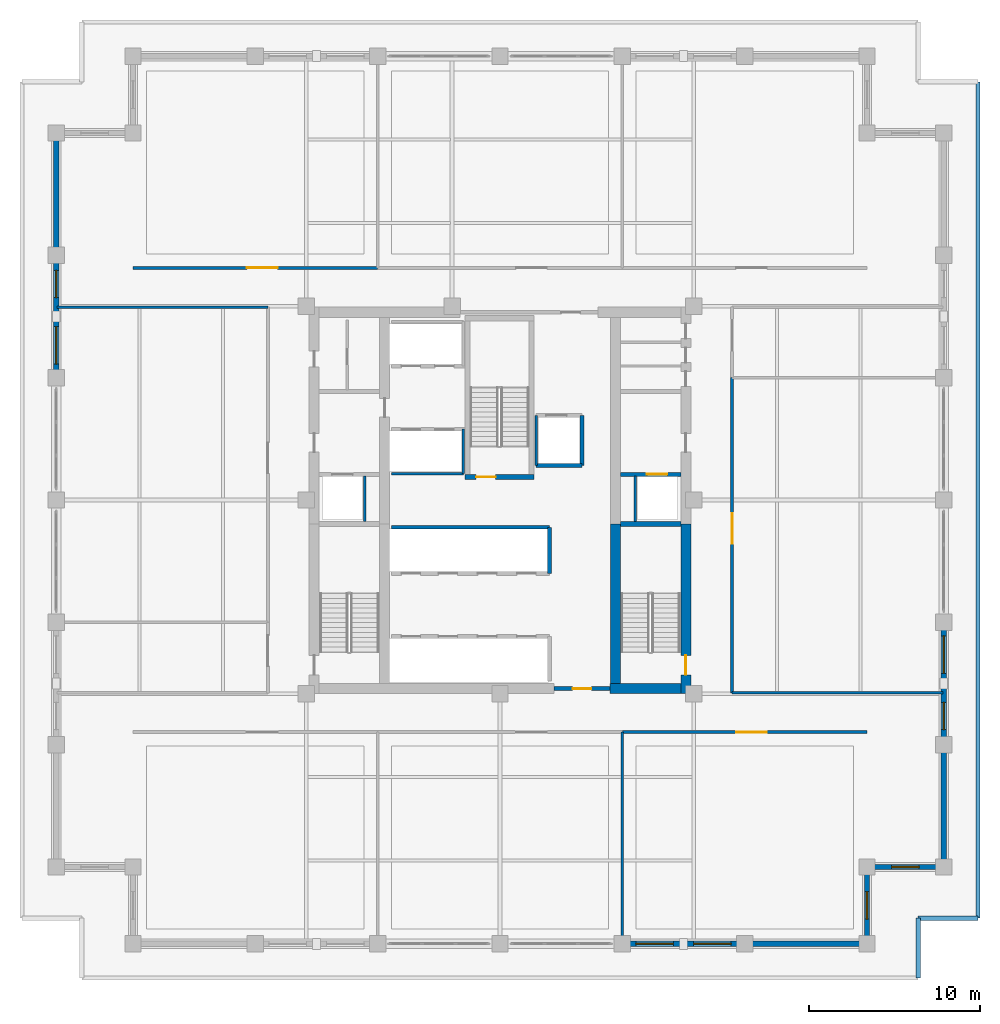
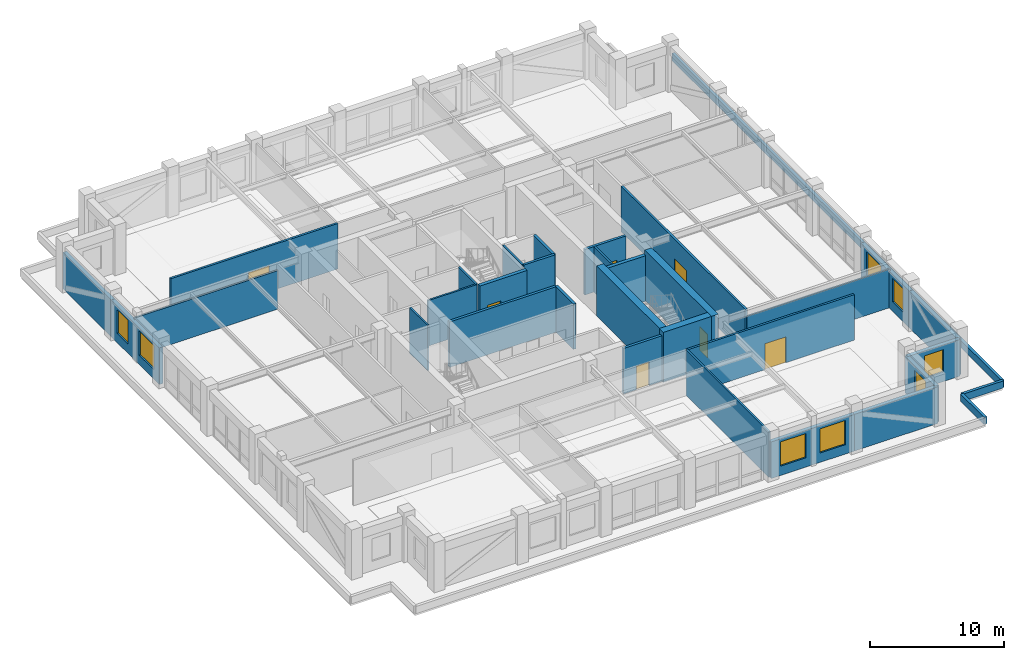
# One storey, part 9 of 16: 33 walls, 8 windows, 7 doors, 15 openings.
"""IFC4 building model written with IfcOpenShell, lengths in metres."""

from ifc_helpers import new_model, si_unit, direction, frame, frame_2d, origin, place, context, subcontext, project, spatial, rectangle, extrude, material, layer, layer_set, type_object, element, fill, save


model = new_model("IFC4")

# Units and contexts
model_context = context("Model", 3, precision=1e-05, world=origin(), true_north=direction((0.0, 1.0)))
body_context = subcontext(model_context, "Body", "Model", "MODEL_VIEW")
ifc_project = project(units=[si_unit("LENGTHUNIT", "METRE"), si_unit("AREAUNIT", "SQUARE_METRE"), si_unit("VOLUMEUNIT", "CUBIC_METRE"), si_unit("PLANEANGLEUNIT", "RADIAN"), si_unit("MASSUNIT", "GRAM", prefix="KILO")], contexts=[model_context])

# Site, building, storey
site_placement = place(None, origin())
site = spatial("IfcSite", under=ifc_project, at=site_placement, CompositionType="ELEMENT")
building_placement = place(site_placement, origin())
building = spatial("IfcBuilding", under=site, at=building_placement, Name="Nhamokura Convention Tower", CompositionType="ELEMENT")
storey_placement = place(building_placement, frame((0.0, 0.0, 106.050048828125)))
storey = spatial("IfcBuildingStorey", under=building, at=storey_placement, Name="L25", CompositionType="ELEMENT", Elevation=106.050048828125)

# Wall, openings, windows
ifc_material_1 = material(Name="Bronze-pigmented precast concrete C45/55", Category="concrete")
ifc_layer_1 = layer(ifc_material_1, 0.320068359375)
ifc_layer_set_1 = layer_set([ifc_layer_1], Name="BronzePrecastSpandrel_320")
wall_type_1 = type_object("IfcWallType", Name="BronzePrecastSpandrel_320", PredefinedType="USERDEFINED", material=ifc_layer_set_1)
wall_1_placement = place(storey_placement, frame((46.333251953125, 6.0, 0.0), z_axis=(0.0, 0.0, 1.0), x_axis=(-1.0, 0.0, 0.0)))
wall_1 = element("IfcWall", 1, at=wall_1_placement, inside=storey, type_object=wall_type_1, Name="L25 Masonry-Frame Wall SOUTH 4", ObjectType="SPANDREL_WALL", PredefinedType="USERDEFINED", context=body_context, shape_type="SweptSolid", body=[
    extrude(rectangle(XDim=7.16650390625, YDim=0.320068359375, at=frame_2d((3.583251953125, 0.0))), origin(), (0.0, 0.0, 1.0), 3.329833984375),
])
opening_1_placement = place(wall_1_placement, frame((0.791748046875, 0.0, 0.85009765625)))
opening_1 = element("IfcOpeningElement", 2, at=opening_1_placement, cuts=wall_1, Name="Opening W-06", PredefinedType="OPENING", context=body_context, shape_type="SweptSolid", body=[
    extrude(rectangle(XDim=2.199951171875, YDim=2.199951171875, at=frame_2d((1.10009765625, 1.10009765625))), frame((0.0, 0.169921875, 0.0), z_axis=(0.0, -1.0, 0.0), x_axis=(1.0, 0.0, 0.0)), (0.0, 0.0, 1.0), 0.340087890625),
])
opening_2_placement = place(wall_1_placement, frame((4.175048828125, 0.0, 0.85009765625)))
opening_2 = element("IfcOpeningElement", 3, at=opening_2_placement, cuts=wall_1, Name="Opening W-06", PredefinedType="OPENING", context=body_context, shape_type="SweptSolid", body=[
    extrude(rectangle(XDim=2.199951171875, YDim=2.199951171875, at=frame_2d((1.10009765625, 1.10009765625))), frame((0.0, 0.169921875, 0.0), z_axis=(0.0, -1.0, 0.0), x_axis=(1.0, 0.0, 0.0)), (0.0, 0.0, 1.0), 0.340087890625),
])
ifc_material_2 = material(Name="Solar-control bronze low-E double glass", Category="glass")
window_type_1 = type_object("IfcWindowType", Name="OfficeModuleWindow_Z2_2200", PartitioningType="SINGLE_PANEL", PredefinedType="WINDOW", material=ifc_material_2)
window_1_placement = place(opening_1_placement, origin())
window_1 = element("IfcWindow", 4, at=window_1_placement, inside=storey, type_object=window_type_1, Name="L25 Facade Window SOUTH 4-1", OverallHeight=2.199951171875, OverallWidth=2.199951171875, PartitioningType="SINGLE_PANEL", PredefinedType="WINDOW", context=body_context, shape_type="SweptSolid", body=[
    extrude(rectangle(XDim=2.199951171875, YDim=2.199951171875, at=frame_2d((1.10009765625, 1.10009765625))), frame((0.0, 0.030029296875, 0.0), z_axis=(0.0, -1.0, 0.0), x_axis=(1.0, 0.0, 0.0)), (0.0, 0.0, 1.0), 0.06005859375),
])
fill(opening_1, window_1)
window_2_placement = place(opening_2_placement, origin())
window_2 = element("IfcWindow", 5, at=window_2_placement, inside=storey, type_object=window_type_1, Name="L25 Facade Window SOUTH 4-2", OverallHeight=2.199951171875, OverallWidth=2.199951171875, PartitioningType="SINGLE_PANEL", PredefinedType="WINDOW", context=body_context, shape_type="SweptSolid", body=[
    extrude(rectangle(XDim=2.199951171875, YDim=2.199951171875, at=frame_2d((1.10009765625, 1.10009765625))), frame((0.0, 0.030029296875, 0.0), z_axis=(0.0, -1.0, 0.0), x_axis=(1.0, 0.0, 0.0)), (0.0, 0.0, 1.0), 0.06005859375),
])
fill(opening_2, window_2)

# Wall
wall_2_placement = place(storey_placement, frame((53.5, 6.0, 0.0), z_axis=(0.0, 0.0, 1.0), x_axis=(-1.0, 0.0, 0.0)))
element("IfcWall", 6, at=wall_2_placement, inside=storey, type_object=wall_type_1, Name="L25 Braced-Bay Precast Wall SOUTH 5", ObjectType="SPANDREL_WALL", PredefinedType="USERDEFINED", context=body_context, shape_type="SweptSolid", body=[
    extrude(rectangle(XDim=7.166748046875, YDim=0.320068359375, at=frame_2d((3.58349609375, 0.0))), origin(), (0.0, 0.0, 1.0), 3.329833984375),
])

# Wall, openings, windows
wall_3_placement = place(storey_placement, frame((6.0, 39.166748046875, 0.0), z_axis=(0.0, 0.0, 1.0), x_axis=(0.0, 1.0, 0.0)))
wall_3 = element("IfcWall", 7, at=wall_3_placement, inside=storey, type_object=wall_type_1, Name="L25 Masonry-Frame Wall WEST 4", ObjectType="SPANDREL_WALL", PredefinedType="USERDEFINED", context=body_context, shape_type="SweptSolid", body=[
    extrude(rectangle(XDim=7.16650390625, YDim=0.320068359375, at=frame_2d((3.583251953125, 0.0))), origin(), (0.0, 0.0, 1.0), 3.329833984375),
])
opening_3_placement = place(wall_3_placement, frame((0.791748046875, 0.0, 0.85009765625)))
opening_3 = element("IfcOpeningElement", 8, at=opening_3_placement, cuts=wall_3, Name="Opening W-06", PredefinedType="OPENING", context=body_context, shape_type="SweptSolid", body=[
    extrude(rectangle(XDim=2.199951171875, YDim=2.199951171875, at=frame_2d((1.10009765625, 1.10009765625))), frame((0.0, 0.169921875, 0.0), z_axis=(0.0, -1.0, 0.0), x_axis=(1.0, 0.0, 0.0)), (0.0, 0.0, 1.0), 0.340087890625),
])
opening_4_placement = place(wall_3_placement, frame((4.6875, 0.0, 0.85009765625)))
opening_4 = element("IfcOpeningElement", 9, at=opening_4_placement, cuts=wall_3, Name="Opening W-11", PredefinedType="OPENING", context=body_context, shape_type="SweptSolid", body=[
    extrude(rectangle(XDim=1.60009765625, YDim=2.14990234375, at=frame_2d((0.800048828125, 1.074951171875))), frame((0.0, 0.169921875, 0.0), z_axis=(0.0, -1.0, 0.0), x_axis=(1.0, 0.0, 0.0)), (0.0, 0.0, 1.0), 0.340087890625),
])
ifc_material_3 = material(Name="Solar-control bronze low-E double glass", Category="glass")
window_type_2 = type_object("IfcWindowType", Name="NotchCornerWindow_1600", PartitioningType="SINGLE_PANEL", PredefinedType="WINDOW", material=ifc_material_3)
window_3_placement = place(opening_4_placement, origin())
window_3 = element("IfcWindow", 10, at=window_3_placement, inside=storey, type_object=window_type_2, Name="L25 Facade Window WEST 4-2", OverallHeight=2.14990234375, OverallWidth=1.60009765625, PartitioningType="SINGLE_PANEL", PredefinedType="WINDOW", context=body_context, shape_type="SweptSolid", body=[
    extrude(rectangle(XDim=1.60009765625, YDim=2.14990234375, at=frame_2d((0.800048828125, 1.074951171875))), frame((0.0, 0.030029296875, 0.0), z_axis=(0.0, -1.0, 0.0), x_axis=(1.0, 0.0, 0.0)), (0.0, 0.0, 1.0), 0.06005859375),
])
fill(opening_4, window_3)
window_4_placement = place(opening_3_placement, origin())
window_4 = element("IfcWindow", 11, at=window_4_placement, inside=storey, type_object=window_type_1, Name="L25 Facade Window WEST 4-1", OverallHeight=2.199951171875, OverallWidth=2.199951171875, PartitioningType="SINGLE_PANEL", PredefinedType="WINDOW", context=body_context, shape_type="SweptSolid", body=[
    extrude(rectangle(XDim=2.199951171875, YDim=2.199951171875, at=frame_2d((1.10009765625, 1.10009765625))), frame((0.0, 0.030029296875, 0.0), z_axis=(0.0, -1.0, 0.0), x_axis=(1.0, 0.0, 0.0)), (0.0, 0.0, 1.0), 0.06005859375),
])
fill(opening_3, window_4)

# Walls
for number, where, z_axis, x_axis, name in (
    (12, (6.0, 46.333251953125, 0.0), (0.0, 0.0, 1.0), (0.0, 1.0, 0.0), "L25 Braced-Bay Precast Wall WEST 5"),
    (13, (58.0, 17.666748046875, 0.0), (0.0, 0.0, 1.0), (0.0, -1.0, 0.0), "L25 Braced-Bay Precast Wall EAST 0"),
):
    element("IfcWall", number, at=place(storey_placement, frame(where, z_axis=z_axis, x_axis=x_axis)), inside=storey, type_object=wall_type_1, Name=name, ObjectType="SPANDREL_WALL", PredefinedType="USERDEFINED", context=body_context, shape_type="SweptSolid", body=[
        extrude(rectangle(XDim=7.166748046875, YDim=0.320068359375, at=frame_2d((3.58349609375, 0.0))), origin(), (0.0, 0.0, 1.0), 3.329833984375),
    ])

# Wall, openings, windows
wall_4_placement = place(storey_placement, frame((58.0, 24.833251953125, 0.0), z_axis=(0.0, 0.0, 1.0), x_axis=(0.0, -1.0, 0.0)))
wall_4 = element("IfcWall", 14, at=wall_4_placement, inside=storey, type_object=wall_type_1, Name="L25 Masonry-Frame Wall EAST 1", ObjectType="SPANDREL_WALL", PredefinedType="USERDEFINED", context=body_context, shape_type="SweptSolid", body=[
    extrude(rectangle(XDim=7.16650390625, YDim=0.320068359375, at=frame_2d((3.583251953125, 0.0))), origin(), (0.0, 0.0, 1.0), 3.329833984375),
])
opening_5_placement = place(wall_4_placement, frame((0.791748046875, 0.0, 0.85009765625)))
opening_5 = element("IfcOpeningElement", 15, at=opening_5_placement, cuts=wall_4, Name="Opening W-06", PredefinedType="OPENING", context=body_context, shape_type="SweptSolid", body=[
    extrude(rectangle(XDim=2.199951171875, YDim=2.199951171875, at=frame_2d((1.10009765625, 1.10009765625))), frame((0.0, 0.169921875, 0.0), z_axis=(0.0, -1.0, 0.0), x_axis=(1.0, 0.0, 0.0)), (0.0, 0.0, 1.0), 0.340087890625),
])
opening_6_placement = place(wall_4_placement, frame((4.6875, 0.0, 0.85009765625)))
opening_6 = element("IfcOpeningElement", 16, at=opening_6_placement, cuts=wall_4, Name="Opening W-11", PredefinedType="OPENING", context=body_context, shape_type="SweptSolid", body=[
    extrude(rectangle(XDim=1.60009765625, YDim=2.14990234375, at=frame_2d((0.800048828125, 1.074951171875))), frame((0.0, 0.169921875, 0.0), z_axis=(0.0, -1.0, 0.0), x_axis=(1.0, 0.0, 0.0)), (0.0, 0.0, 1.0), 0.340087890625),
])
window_5_placement = place(opening_6_placement, origin())
window_5 = element("IfcWindow", 17, at=window_5_placement, inside=storey, type_object=window_type_2, Name="L25 Facade Window EAST 1-2", OverallHeight=2.14990234375, OverallWidth=1.60009765625, PartitioningType="SINGLE_PANEL", PredefinedType="WINDOW", context=body_context, shape_type="SweptSolid", body=[
    extrude(rectangle(XDim=1.60009765625, YDim=2.14990234375, at=frame_2d((0.800048828125, 1.074951171875))), frame((0.0, 0.030029296875, 0.0), z_axis=(0.0, -1.0, 0.0), x_axis=(1.0, 0.0, 0.0)), (0.0, 0.0, 1.0), 0.06005859375),
])
fill(opening_6, window_5)
window_6_placement = place(opening_5_placement, origin())
window_6 = element("IfcWindow", 18, at=window_6_placement, inside=storey, type_object=window_type_1, Name="L25 Facade Window EAST 1-1", OverallHeight=2.199951171875, OverallWidth=2.199951171875, PartitioningType="SINGLE_PANEL", PredefinedType="WINDOW", context=body_context, shape_type="SweptSolid", body=[
    extrude(rectangle(XDim=2.199951171875, YDim=2.199951171875, at=frame_2d((1.10009765625, 1.10009765625))), frame((0.0, 0.030029296875, 0.0), z_axis=(0.0, -1.0, 0.0), x_axis=(1.0, 0.0, 0.0)), (0.0, 0.0, 1.0), 0.06005859375),
])
fill(opening_5, window_6)

# Wall, opening, window
wall_5_placement = place(storey_placement, frame((53.5, 10.5, 0.0), z_axis=(0.0, 0.0, 1.0), x_axis=(0.0, -1.0, 0.0)))
wall_5 = element("IfcWall", 19, at=wall_5_placement, inside=storey, type_object=wall_type_1, Name="L25 Notched Corner Wall SE1", ObjectType="SPANDREL_WALL", PredefinedType="USERDEFINED", context=body_context, shape_type="SweptSolid", body=[
    extrude(rectangle(XDim=4.5, YDim=0.320068359375, at=frame_2d((2.25, 0.0))), origin(), (0.0, 0.0, 1.0), 3.329833984375),
])
opening_7_placement = place(wall_5_placement, frame((1.449951171875, 0.0, 0.85009765625)))
opening_7 = element("IfcOpeningElement", 20, at=opening_7_placement, cuts=wall_5, Name="Opening W-11", PredefinedType="OPENING", context=body_context, shape_type="SweptSolid", body=[
    extrude(rectangle(XDim=1.60009765625, YDim=2.050048828125, at=frame_2d((0.800048828125, 1.02490234375))), frame((0.0, 0.169921875, 0.0), z_axis=(0.0, -1.0, 0.0), x_axis=(1.0, 0.0, 0.0)), (0.0, 0.0, 1.0), 0.340087890625),
])
window_7_placement = place(opening_7_placement, origin())
window_7 = element("IfcWindow", 21, at=window_7_placement, inside=storey, type_object=window_type_2, Name="L25 Notched Corner Window SE1", OverallHeight=2.050048828125, OverallWidth=1.60009765625, PartitioningType="SINGLE_PANEL", PredefinedType="WINDOW", context=body_context, shape_type="SweptSolid", body=[
    extrude(rectangle(XDim=1.60009765625, YDim=2.050048828125, at=frame_2d((0.800048828125, 1.02490234375))), frame((0.0, 0.030029296875, 0.0), z_axis=(0.0, -1.0, 0.0), x_axis=(1.0, 0.0, 0.0)), (0.0, 0.0, 1.0), 0.06005859375),
])
fill(opening_7, window_7)

wall_6_placement = place(storey_placement, frame((58.0, 10.5, 0.0), z_axis=(0.0, 0.0, 1.0), x_axis=(-1.0, 0.0, 0.0)))
wall_6 = element("IfcWall", 22, at=wall_6_placement, inside=storey, type_object=wall_type_1, Name="L25 Notched Corner Wall SE2", ObjectType="SPANDREL_WALL", PredefinedType="USERDEFINED", context=body_context, shape_type="SweptSolid", body=[
    extrude(rectangle(XDim=4.5, YDim=0.320068359375, at=frame_2d((2.25, 0.0))), origin(), (0.0, 0.0, 1.0), 3.329833984375),
])
opening_8_placement = place(wall_6_placement, frame((1.449951171875, 0.0, 0.85009765625)))
opening_8 = element("IfcOpeningElement", 23, at=opening_8_placement, cuts=wall_6, Name="Opening W-11", PredefinedType="OPENING", context=body_context, shape_type="SweptSolid", body=[
    extrude(rectangle(XDim=1.60009765625, YDim=2.050048828125, at=frame_2d((0.800048828125, 1.02490234375))), frame((0.0, 0.169921875, 0.0), z_axis=(0.0, -1.0, 0.0), x_axis=(1.0, 0.0, 0.0)), (0.0, 0.0, 1.0), 0.340087890625),
])
window_8_placement = place(opening_8_placement, origin())
window_8 = element("IfcWindow", 24, at=window_8_placement, inside=storey, type_object=window_type_2, Name="L25 Notched Corner Window SE2", OverallHeight=2.050048828125, OverallWidth=1.60009765625, PartitioningType="SINGLE_PANEL", PredefinedType="WINDOW", context=body_context, shape_type="SweptSolid", body=[
    extrude(rectangle(XDim=1.60009765625, YDim=2.050048828125, at=frame_2d((0.800048828125, 1.02490234375))), frame((0.0, 0.030029296875, 0.0), z_axis=(0.0, -1.0, 0.0), x_axis=(1.0, 0.0, 0.0)), (0.0, 0.0, 1.0), 0.06005859375),
])
fill(opening_8, window_8)

# Wall, opening, door
ifc_material_4 = material(Name="Concrete C60/75", Category="concrete")
ifc_layer_2 = layer(ifc_material_4, 0.60009765625)
ifc_layer_set_2 = layer_set([ifc_layer_2], Name="CoreShearWall_600")
wall_type_2 = type_object("IfcWallType", Name="CoreShearWall_600", PredefinedType="SHEAR", material=ifc_layer_set_2)
wall_7_placement = place(storey_placement, frame((42.889892578125, 20.64990234375, 0.0), z_axis=(0.0, 0.0, 1.0), x_axis=(0.0, 1.0, 0.0)))
wall_7 = element("IfcWall", 25, at=wall_7_placement, inside=storey, type_object=wall_type_2, Name="L25 Core Shear Wall CW-ES", PredefinedType="SHEAR", context=body_context, shape_type="SweptSolid", body=[
    extrude(rectangle(XDim=9.9501953125, YDim=0.60009765625, at=frame_2d((4.97509765625, 0.0))), origin(), (0.0, 0.0, 1.0), 4.550048828125),
])
opening_9_placement = place(wall_7_placement, frame((1.10009765625, 0.0, 0.0)))
opening_9 = element("IfcOpeningElement", 26, at=opening_9_placement, cuts=wall_7, Name="Opening D-04", PredefinedType="OPENING", context=body_context, shape_type="SweptSolid", body=[
    extrude(rectangle(XDim=1.14990234375, YDim=2.14990234375, at=frame_2d((0.574951171875, 1.074951171875))), frame((0.0, 0.31005859375, 0.0), z_axis=(0.0, -1.0, 0.0), x_axis=(1.0, 0.0, 0.0)), (0.0, 0.0, 1.0), 0.6201171875),
])
ifc_material_5 = material(Name="Fire-rated steel door", Category="steel")
door_type_1 = type_object("IfcDoorType", Name="StairSmokeDoor_1150", OperationType="NOTDEFINED", PredefinedType="DOOR", material=ifc_material_5)
door_1_placement = place(opening_9_placement, origin())
door_1 = element("IfcDoor", 27, at=door_1_placement, inside=storey, type_object=door_type_1, Name="L25 Core Door INT-L25-D-ST02", OperationType="SINGLE_SWING_RIGHT", OverallHeight=2.14990234375, OverallWidth=1.14990234375, PredefinedType="DOOR", context=body_context, shape_type="SweptSolid", body=[
    extrude(rectangle(XDim=1.14990234375, YDim=2.14990234375, at=frame_2d((0.574951171875, 1.074951171875))), frame((0.0, 0.02490234375, 0.0), z_axis=(0.0, -1.0, 0.0), x_axis=(1.0, 0.0, 0.0)), (0.0, 0.0, 1.0), 0.050048828125),
])
fill(opening_9, door_1)

# Walls
wall_8_placement = place(storey_placement, frame((38.449951171875, 20.949951171875, 0.0), z_axis=(0.0, 0.0, 1.0), x_axis=(1.0, 0.0, 0.0)))
element("IfcWall", 28, at=wall_8_placement, inside=storey, type_object=wall_type_2, Name="L25 Core Shear Wall CW-S2", PredefinedType="SHEAR", context=body_context, shape_type="SweptSolid", body=[
    extrude(rectangle(XDim=4.14013671875, YDim=0.60009765625, at=frame_2d((2.070068359375, 0.0))), origin(), (0.0, 0.0, 1.0), 4.550048828125),
])
wall_9_placement = place(storey_placement, frame((38.760009765625, 21.25, 0.0), z_axis=(0.0, 0.0, 1.0), x_axis=(0.0, 1.0, 0.0)))
element("IfcWall", 29, at=wall_9_placement, inside=storey, type_object=wall_type_2, Name="L25 Core Shear Wall CW-IES", PredefinedType="SHEAR", context=body_context, shape_type="SweptSolid", body=[
    extrude(rectangle(XDim=9.35009765625, YDim=0.60009765625, at=frame_2d((4.675048828125, 0.0))), origin(), (0.0, 0.0, 1.0), 4.550048828125),
])

# Wall, opening, door
ifc_material_6 = material(Name="Fire-rated gypsum and masonry partition", Category="masonry")
ifc_layer_3 = layer(ifc_material_6, 0.179931640625)
ifc_layer_set_3 = layer_set([ifc_layer_3], Name="CorridorRatedWall_180")
wall_type_3 = type_object("IfcWallType", Name="CorridorRatedWall_180", PredefinedType="STANDARD", material=ifc_layer_set_3)
wall_10_placement = place(storey_placement, frame((39.166748046875, 18.39990234375, 0.0), z_axis=(0.0, 0.0, 1.0), x_axis=(1.0, 0.0, 0.0)))
wall_10 = element("IfcWall", 30, at=wall_10_placement, inside=storey, type_object=wall_type_3, Name="L25 Wall INT-L25-CW-S02", PredefinedType="STANDARD", context=body_context, shape_type="SweptSolid", body=[
    extrude(rectangle(XDim=14.333251953125, YDim=0.179931640625, at=frame_2d((7.16650390625, 0.0))), origin(), (0.0, 0.0, 1.0), 4.1298828125),
])
opening_10_placement = place(wall_10_placement, frame((6.66650390625, 0.0, 0.0)))
opening_10 = element("IfcOpeningElement", 31, at=opening_10_placement, cuts=wall_10, Name="Opening D-03", PredefinedType="OPENING", context=body_context, shape_type="SweptSolid", body=[
    extrude(rectangle(XDim=1.800048828125, YDim=2.35009765625, at=frame_2d((0.89990234375, 1.175048828125))), frame((0.0, 0.099853515625, 0.0), z_axis=(0.0, -1.0, 0.0), x_axis=(1.0, 0.0, 0.0)), (0.0, 0.0, 1.0), 0.199951171875),
])
ifc_material_7 = material(Name="Solid oak hardwood", Category="wood")
door_type_2 = type_object("IfcDoorType", Name="BallroomDoubleDoor_1800", OperationType="DOUBLE_DOOR_SINGLE_SWING", PredefinedType="DOOR", material=ifc_material_7)
door_2_placement = place(opening_10_placement, origin())
door_2 = element("IfcDoor", 32, at=door_2_placement, inside=storey, type_object=door_type_2, Name="L25 Concierge Office S03 Door", OperationType="SINGLE_SWING_LEFT", OverallHeight=2.35009765625, OverallWidth=1.800048828125, PredefinedType="DOOR", context=body_context, shape_type="SweptSolid", body=[
    extrude(rectangle(XDim=1.800048828125, YDim=2.35009765625, at=frame_2d((0.89990234375, 1.175048828125))), frame((0.0, 0.02490234375, 0.0), z_axis=(0.0, -1.0, 0.0), x_axis=(1.0, 0.0, 0.0)), (0.0, 0.0, 1.0), 0.050048828125),
])
fill(opening_10, door_2)

wall_11_placement = place(storey_placement, frame((10.5, 45.60009765625, 0.0), z_axis=(0.0, 0.0, 1.0), x_axis=(1.0, 0.0, 0.0)))
wall_11 = element("IfcWall", 33, at=wall_11_placement, inside=storey, type_object=wall_type_3, Name="L25 Wall INT-L25-CW-N00", PredefinedType="STANDARD", context=body_context, shape_type="SweptSolid", body=[
    extrude(rectangle(XDim=14.333251953125, YDim=0.179931640625, at=frame_2d((7.16650390625, 0.0))), origin(), (0.0, 0.0, 1.0), 4.1298828125),
])
opening_11_placement = place(wall_11_placement, frame((6.666748046875, 0.0, 0.0)))
opening_11 = element("IfcOpeningElement", 34, at=opening_11_placement, cuts=wall_11, Name="Opening D-03", PredefinedType="OPENING", context=body_context, shape_type="SweptSolid", body=[
    extrude(rectangle(XDim=1.800048828125, YDim=2.35009765625, at=frame_2d((0.89990234375, 1.175048828125))), frame((0.0, 0.099853515625, 0.0), z_axis=(0.0, -1.0, 0.0), x_axis=(1.0, 0.0, 0.0)), (0.0, 0.0, 1.0), 0.199951171875),
])
door_3_placement = place(opening_11_placement, origin())
door_3 = element("IfcDoor", 35, at=door_3_placement, inside=storey, type_object=door_type_2, Name="L25 Conference Hall N01 Door", OperationType="SINGLE_SWING_LEFT", OverallHeight=2.35009765625, OverallWidth=1.800048828125, PredefinedType="DOOR", context=body_context, shape_type="SweptSolid", body=[
    extrude(rectangle(XDim=1.800048828125, YDim=2.35009765625, at=frame_2d((0.89990234375, 1.175048828125))), frame((0.0, 0.02490234375, 0.0), z_axis=(0.0, -1.0, 0.0), x_axis=(1.0, 0.0, 0.0)), (0.0, 0.0, 1.0), 0.050048828125),
])
fill(opening_11, door_3)

wall_12_placement = place(storey_placement, frame((45.60009765625, 20.699951171875, 0.0), z_axis=(0.0, 0.0, 1.0), x_axis=(0.0, 1.0, 0.0)))
wall_12 = element("IfcWall", 36, at=wall_12_placement, inside=storey, type_object=wall_type_3, Name="L25 Wall INT-L25-CW-E00", PredefinedType="STANDARD", context=body_context, shape_type="SweptSolid", body=[
    extrude(rectangle(XDim=18.466796875, YDim=0.179931640625, at=frame_2d((9.2333984375, 0.0))), origin(), (0.0, 0.0, 1.0), 4.1298828125),
])
opening_12_placement = place(wall_12_placement, frame((8.7333984375, 0.0, 0.0)))
opening_12 = element("IfcOpeningElement", 37, at=opening_12_placement, cuts=wall_12, Name="Opening D-03", PredefinedType="OPENING", context=body_context, shape_type="SweptSolid", body=[
    extrude(rectangle(XDim=1.800048828125, YDim=2.35009765625, at=frame_2d((0.89990234375, 1.175048828125))), frame((0.0, 0.099853515625, 0.0), z_axis=(0.0, -1.0, 0.0), x_axis=(1.0, 0.0, 0.0)), (0.0, 0.0, 1.0), 0.199951171875),
])
door_4_placement = place(opening_12_placement, origin())
door_4 = element("IfcDoor", 38, at=door_4_placement, inside=storey, type_object=door_type_2, Name="L25 Focus Library E01 Door", OperationType="SINGLE_SWING_LEFT", OverallHeight=2.35009765625, OverallWidth=1.800048828125, PredefinedType="DOOR", context=body_context, shape_type="SweptSolid", body=[
    extrude(rectangle(XDim=1.800048828125, YDim=2.35009765625, at=frame_2d((0.89990234375, 1.175048828125))), frame((0.0, 0.02490234375, 0.0), z_axis=(0.0, -1.0, 0.0), x_axis=(1.0, 0.0, 0.0)), (0.0, 0.0, 1.0), 0.050048828125),
])
fill(opening_12, door_4)

ifc_material_8 = material(Name="Autoclaved concrete blockwork", Category="masonry")
ifc_layer_4 = layer(ifc_material_8, 0.219970703125)
ifc_layer_set_4 = layer_set([ifc_layer_4], Name="FireLobbyWall_220")
wall_type_4 = type_object("IfcWallType", Name="FireLobbyWall_220", PredefinedType="STANDARD", material=ifc_layer_set_4)
wall_13_placement = place(storey_placement, frame((39.06005859375, 33.5, 0.0), z_axis=(0.0, 0.0, 1.0), x_axis=(1.0, 0.0, 0.0)))
wall_13 = element("IfcWall", 39, at=wall_13_placement, inside=storey, type_object=wall_type_4, Name="L25 Wall INT-L25-FFE-S", PredefinedType="STANDARD", context=body_context, shape_type="SweptSolid", body=[
    extrude(rectangle(XDim=3.530029296875, YDim=0.219970703125, at=frame_2d((1.76513671875, 0.0))), origin(), (0.0, 0.0, 1.0), 4.1298828125),
])
opening_13_placement = place(wall_13_placement, frame((1.550048828125, 0.0, 0.0)))
opening_13 = element("IfcOpeningElement", 40, at=opening_13_placement, cuts=wall_13, Name="Opening LD-02", PredefinedType="OPENING", context=body_context, shape_type="SweptSolid", body=[
    extrude(rectangle(XDim=1.199951171875, YDim=2.199951171875, at=frame_2d((0.60009765625, 1.10009765625))), frame((0.0, 0.119873046875, 0.0), z_axis=(0.0, -1.0, 0.0), x_axis=(1.0, 0.0, 0.0)), (0.0, 0.0, 1.0), 0.239990234375),
])
ifc_material_9 = material(Name="Anodised bronze stainless steel", Category="steel")
door_type_3 = type_object("IfcDoorType", Name="LiftLandingDoor_FireService", OperationType="DOUBLE_DOOR_SLIDING", PredefinedType="DOOR", material=ifc_material_9)
door_5_placement = place(opening_13_placement, origin())
door_5 = element("IfcDoor", 41, at=door_5_placement, inside=storey, type_object=door_type_3, Name="L25 Firefighting Lift LF-02 Door", OperationType="DOUBLE_DOOR_SLIDING", OverallHeight=2.199951171875, OverallWidth=1.199951171875, PredefinedType="DOOR", context=body_context, shape_type="SweptSolid", body=[
    extrude(rectangle(XDim=1.199951171875, YDim=2.199951171875, at=frame_2d((0.60009765625, 1.10009765625))), frame((0.0, 0.02490234375, 0.0), z_axis=(0.0, -1.0, 0.0), x_axis=(1.0, 0.0, 0.0)), (0.0, 0.0, 1.0), 0.050048828125),
])
fill(opening_13, door_5)

wall_14_placement = place(storey_placement, frame((35.14990234375, 20.949951171875, 0.0), z_axis=(0.0, 0.0, 1.0), x_axis=(1.0, 0.0, 0.0)))
wall_14 = element("IfcWall", 42, at=wall_14_placement, inside=storey, type_object=wall_type_4, Name="L25 Wall INT-L25-SPORT-S", PredefinedType="STANDARD", context=body_context, shape_type="SweptSolid", body=[
    extrude(rectangle(XDim=3.300048828125, YDim=0.219970703125, at=frame_2d((1.64990234375, 0.0))), origin(), (0.0, 0.0, 1.0), 4.1298828125),
])
opening_14_placement = place(wall_14_placement, frame((1.10009765625, 0.0, 0.0)))
opening_14 = element("IfcOpeningElement", 43, at=opening_14_placement, cuts=wall_14, Name="Opening D-05", PredefinedType="OPENING", context=body_context, shape_type="SweptSolid", body=[
    extrude(rectangle(XDim=1.10009765625, YDim=2.14990234375, at=frame_2d((0.550048828125, 1.074951171875))), frame((0.0, 0.119873046875, 0.0), z_axis=(0.0, -1.0, 0.0), x_axis=(1.0, 0.0, 0.0)), (0.0, 0.0, 1.0), 0.239990234375),
])
ifc_material_10 = material(Name="Fire-rated steel door", Category="steel")
door_type_4 = type_object("IfcDoorType", Name="FireLobbyDoor_1100", OperationType="NOTDEFINED", PredefinedType="DOOR", material=ifc_material_10)
door_6_placement = place(opening_14_placement, origin())
door_6 = element("IfcDoor", 44, at=door_6_placement, inside=storey, type_object=door_type_4, Name="L25 South Core Lobby Portal Door", OperationType="SINGLE_SWING_LEFT", OverallHeight=2.14990234375, OverallWidth=1.10009765625, PredefinedType="DOOR", context=body_context, shape_type="SweptSolid", body=[
    extrude(rectangle(XDim=1.10009765625, YDim=2.14990234375, at=frame_2d((0.550048828125, 1.074951171875))), frame((0.0, 0.02490234375, 0.0), z_axis=(0.0, -1.0, 0.0), x_axis=(1.0, 0.0, 0.0)), (0.0, 0.0, 1.0), 0.050048828125),
])
fill(opening_14, door_6)

# Walls
wall_15_placement = place(storey_placement, frame((25.64990234375, 30.39990234375, 0.0), z_axis=(0.0, 0.0, 1.0), x_axis=(1.0, 0.0, 0.0)))
element("IfcWall", 45, at=wall_15_placement, inside=storey, type_object=wall_type_4, Name="L25 Wall INT-L25-B2N", PredefinedType="STANDARD", context=body_context, shape_type="SweptSolid", body=[
    extrude(rectangle(XDim=9.25, YDim=0.219970703125, at=frame_2d((4.625, 0.0))), origin(), (0.0, 0.0, 1.0), 4.1298828125),
])
wall_16_placement = place(storey_placement, frame((34.89990234375, 27.699951171875, 0.0), z_axis=(0.0, 0.0, 1.0), x_axis=(0.0, 1.0, 0.0)))
element("IfcWall", 46, at=wall_16_placement, inside=storey, type_object=wall_type_4, Name="L25 Wall INT-L25-B2E", PredefinedType="STANDARD", context=body_context, shape_type="SweptSolid", body=[
    extrude(rectangle(XDim=2.699951171875, YDim=0.219970703125, at=frame_2d((1.35009765625, 0.0))), origin(), (0.0, 0.0, 1.0), 4.1298828125),
])
wall_17_placement = place(storey_placement, frame((36.800048828125, 34.02001953125, 0.0), z_axis=(0.0, 0.0, 1.0), x_axis=(0.0, 1.0, 0.0)))
element("IfcWall", 47, at=wall_17_placement, inside=storey, type_object=wall_type_4, Name="L25 Wall INT-L25-LSE", PredefinedType="STANDARD", context=body_context, shape_type="SweptSolid", body=[
    extrude(rectangle(XDim=2.929931640625, YDim=0.219970703125, at=frame_2d((1.46484375, 0.0))), origin(), (0.0, 0.0, 1.0), 4.1298828125),
])
wall_18_placement = place(storey_placement, frame((34.1201171875, 34.02001953125, 0.0), z_axis=(0.0, 0.0, 1.0), x_axis=(1.0, 0.0, 0.0)))
element("IfcWall", 48, at=wall_18_placement, inside=storey, type_object=wall_type_4, Name="L25 Wall INT-L25-LSS", PredefinedType="STANDARD", context=body_context, shape_type="SweptSolid", body=[
    extrude(rectangle(XDim=2.679931640625, YDim=0.219970703125, at=frame_2d((1.33984375, 0.0))), origin(), (0.0, 0.0, 1.0), 4.1298828125),
])
ifc_material_11 = material(Name="Acoustic gypsum stud partition", Category="masonry")
ifc_layer_5 = layer(ifc_material_11, 0.14990234375)
ifc_layer_set_5 = layer_set([ifc_layer_5], Name="InteriorPartition_150")
wall_type_5 = type_object("IfcWallType", Name="InteriorPartition_150", PredefinedType="STANDARD", material=ifc_layer_set_5)
for number, where, z_axis, x_axis, name in (
    (49, (24.080078125, 30.75, 0.0), (0.0, 0.0, 1.0), (0.0, 1.0, 0.0), "L25 Wall INT-L25-FF1-E"),
    (50, (39.919921875, 30.75, 0.0), (0.0, 0.0, 1.0), (0.0, 1.0, 0.0), "L25 Wall INT-L25-FF2-W"),
):
    element("IfcWall", number, at=place(storey_placement, frame(where, z_axis=z_axis, x_axis=x_axis)), inside=storey, type_object=wall_type_5, Name=name, PredefinedType="STANDARD", context=body_context, shape_type="SweptSolid", body=[
        extrude(rectangle(XDim=2.64990234375, YDim=0.14990234375, at=frame_2d((1.324951171875, 0.0))), origin(), (0.0, 0.0, 1.0), 4.1298828125),
    ])
wall_19_placement = place(storey_placement, frame((25.64990234375, 33.550048828125, 0.0), z_axis=(0.0, 0.0, 1.0), x_axis=(1.0, 0.0, 0.0)))
element("IfcWall", 51, at=wall_19_placement, inside=storey, type_object=wall_type_5, Name="L25 Wall INT-L25-B3A-S", PredefinedType="STANDARD", context=body_context, shape_type="SweptSolid", body=[
    extrude(rectangle(XDim=4.2001953125, YDim=0.14990234375, at=frame_2d((2.10009765625, 0.0))), origin(), (0.0, 0.0, 1.0), 4.1298828125),
])
wall_20_placement = place(storey_placement, frame((29.85009765625, 33.550048828125, 0.0), z_axis=(0.0, 0.0, 1.0), x_axis=(0.0, 1.0, 0.0)))
element("IfcWall", 52, at=wall_20_placement, inside=storey, type_object=wall_type_5, Name="L25 Wall INT-L25-B3A-E", PredefinedType="STANDARD", context=body_context, shape_type="SweptSolid", body=[
    extrude(rectangle(XDim=2.599853515625, YDim=0.14990234375, at=frame_2d((1.2998046875, 0.0))), origin(), (0.0, 0.0, 1.0), 4.1298828125),
])
wall_21_placement = place(storey_placement, frame((34.1201171875, 34.02001953125, 0.0), z_axis=(0.0, 0.0, 1.0), x_axis=(0.0, 1.0, 0.0)))
element("IfcWall", 53, at=wall_21_placement, inside=storey, type_object=wall_type_5, Name="L25 Wall INT-L25-LSW", PredefinedType="STANDARD", context=body_context, shape_type="SweptSolid", body=[
    extrude(rectangle(XDim=2.929931640625, YDim=0.14990234375, at=frame_2d((1.46484375, 0.0))), origin(), (0.0, 0.0, 1.0), 4.1298828125),
])
wall_22_placement = place(storey_placement, frame((39.166748046875, 6.06005859375, 0.0), z_axis=(0.0, 0.0, 1.0), x_axis=(0.0, 1.0, 0.0)))
element("IfcWall", 54, at=wall_22_placement, inside=storey, type_object=wall_type_5, Name="L25 Wall INT-L25-RW-S02", PredefinedType="STANDARD", context=body_context, shape_type="SweptSolid", body=[
    extrude(rectangle(XDim=12.33984375, YDim=0.14990234375, at=frame_2d((6.169921875, 0.0))), origin(), (0.0, 0.0, 1.0), 4.1298828125),
])
for number, where, z_axis, x_axis, name in (
    (55, (6.06005859375, 43.300048828125, 0.0), (0.0, 0.0, 1.0), (1.0, 0.0, 0.0), "L25 Wall INT-L25-RWT-W"),
    (56, (45.60009765625, 20.699951171875, 0.0), (0.0, 0.0, 1.0), (1.0, 0.0, 0.0), "L25 Wall INT-L25-RWB-E"),
):
    element("IfcWall", number, at=place(storey_placement, frame(where, z_axis=z_axis, x_axis=x_axis)), inside=storey, type_object=wall_type_5, Name=name, PredefinedType="STANDARD", context=body_context, shape_type="SweptSolid", body=[
        extrude(rectangle(XDim=12.33984375, YDim=0.14990234375, at=frame_2d((6.169921875, 0.0))), origin(), (0.0, 0.0, 1.0), 3.5009765625),
    ])
ifc_material_12 = material(Name="Concrete C50/60", Category="concrete")
ifc_layer_6 = layer(ifc_material_12, 0.300048828125)
ifc_layer_set_6 = layer_set([ifc_layer_6], Name="ShaftEnclosureWall_300")
wall_type_6 = type_object("IfcWallType", Name="ShaftEnclosureWall_300", PredefinedType="SHEAR", material=ifc_layer_set_6)
wall_23_placement = place(storey_placement, frame((39.06005859375, 30.60009765625, 0.0), z_axis=(0.0, 0.0, 1.0), x_axis=(1.0, 0.0, 0.0)))
element("IfcWall", 57, at=wall_23_placement, inside=storey, type_object=wall_type_6, Name="L25 Wall INT-L25-ST02-N", PredefinedType="SHEAR", context=body_context, shape_type="SweptSolid", body=[
    extrude(rectangle(XDim=3.530029296875, YDim=0.300048828125, at=frame_2d((1.76513671875, 0.0))), origin(), (0.0, 0.0, 1.0), 4.1298828125),
])

# Wall, opening, door
wall_24_placement = place(storey_placement, frame((29.949951171875, 33.35009765625, 0.0), z_axis=(0.0, 0.0, 1.0), x_axis=(1.0, 0.0, 0.0)))
wall_24 = element("IfcWall", 58, at=wall_24_placement, inside=storey, type_object=wall_type_6, Name="L25 Wall INT-L25-ST03S", PredefinedType="SHEAR", context=body_context, shape_type="SweptSolid", body=[
    extrude(rectangle(XDim=4.050048828125, YDim=0.300048828125, at=frame_2d((2.02490234375, 0.0))), origin(), (0.0, 0.0, 1.0), 4.1298828125),
])
opening_15_placement = place(wall_24_placement, frame((0.64990234375, 0.0, 0.0)))
opening_15 = element("IfcOpeningElement", 59, at=opening_15_placement, cuts=wall_24, Name="Opening D-04", PredefinedType="OPENING", context=body_context, shape_type="SweptSolid", body=[
    extrude(rectangle(XDim=1.14990234375, YDim=2.14990234375, at=frame_2d((0.574951171875, 1.074951171875))), frame((0.0, 0.159912109375, 0.0), z_axis=(0.0, -1.0, 0.0), x_axis=(1.0, 0.0, 0.0)), (0.0, 0.0, 1.0), 0.320068359375),
])
door_7_placement = place(opening_15_placement, origin())
door_7 = element("IfcDoor", 60, at=door_7_placement, inside=storey, type_object=door_type_1, Name="L25 Stair ST-03 Smoke Door", OperationType="SINGLE_SWING_LEFT", OverallHeight=2.14990234375, OverallWidth=1.14990234375, PredefinedType="DOOR", context=body_context, shape_type="SweptSolid", body=[
    extrude(rectangle(XDim=1.14990234375, YDim=2.14990234375, at=frame_2d((0.574951171875, 1.074951171875))), frame((0.0, 0.02490234375, 0.0), z_axis=(0.0, -1.0, 0.0), x_axis=(1.0, 0.0, 0.0)), (0.0, 0.0, 1.0), 0.050048828125),
])
fill(opening_15, door_7)

# Walls
ifc_material_13 = material(Name="Bronze-pigmented precast concrete C45/55", Category="concrete")
ifc_layer_7 = layer(ifc_material_13, 0.239990234375)
ifc_layer_set_7 = layer_set([ifc_layer_7], Name="TerraceParapet_240")
wall_type_7 = type_object("IfcWallType", Name="TerraceParapet_240", PredefinedType="PARAPET", material=ifc_layer_set_7)
for number, where, z_axis, x_axis, name in (
    (61, (56.5, 4.0, 0.0), (0.0, 0.0, 1.0), (0.0, 1.0, 0.0), "L25 Setback Roof Parapet 01"),
    (62, (56.5, 7.5, 0.0), (0.0, 0.0, 1.0), (1.0, 0.0, 0.0), "L25 Setback Roof Parapet 02"),
):
    element("IfcWall", number, at=place(storey_placement, frame(where, z_axis=z_axis, x_axis=x_axis)), inside=storey, type_object=wall_type_7, Name=name, PredefinedType="PARAPET", context=body_context, shape_type="SweptSolid", body=[
        extrude(rectangle(XDim=3.5, YDim=0.239990234375, at=frame_2d((1.75, 0.0))), origin(), (0.0, 0.0, 1.0), 0.64990234375),
    ])
wall_25_placement = place(storey_placement, frame((60.0, 7.5, 0.0), z_axis=(0.0, 0.0, 1.0), x_axis=(0.0, 1.0, 0.0)))
element("IfcWall", 63, at=wall_25_placement, inside=storey, type_object=wall_type_7, Name="L25 Setback Roof Parapet 03", PredefinedType="PARAPET", context=body_context, shape_type="SweptSolid", body=[
    extrude(rectangle(XDim=49.0, YDim=0.239990234375, at=frame_2d((24.5, 0.0))), origin(), (0.0, 0.0, 1.0), 0.64990234375),
])

save(model, "model.ifc")
